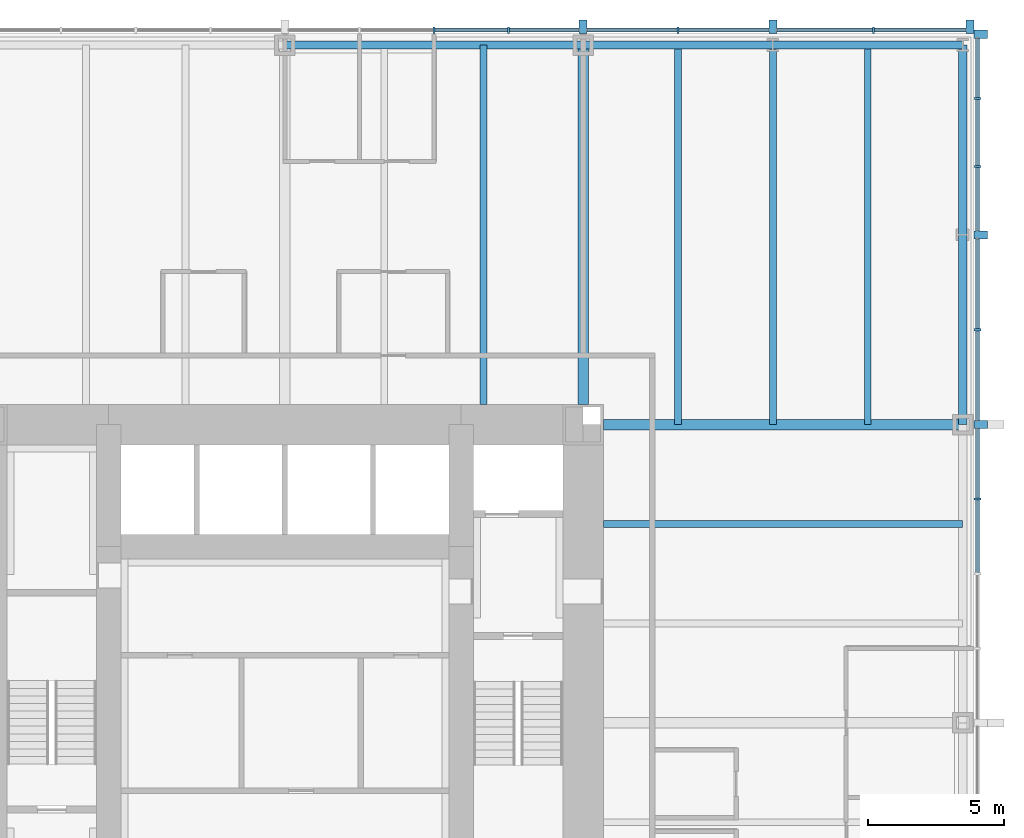
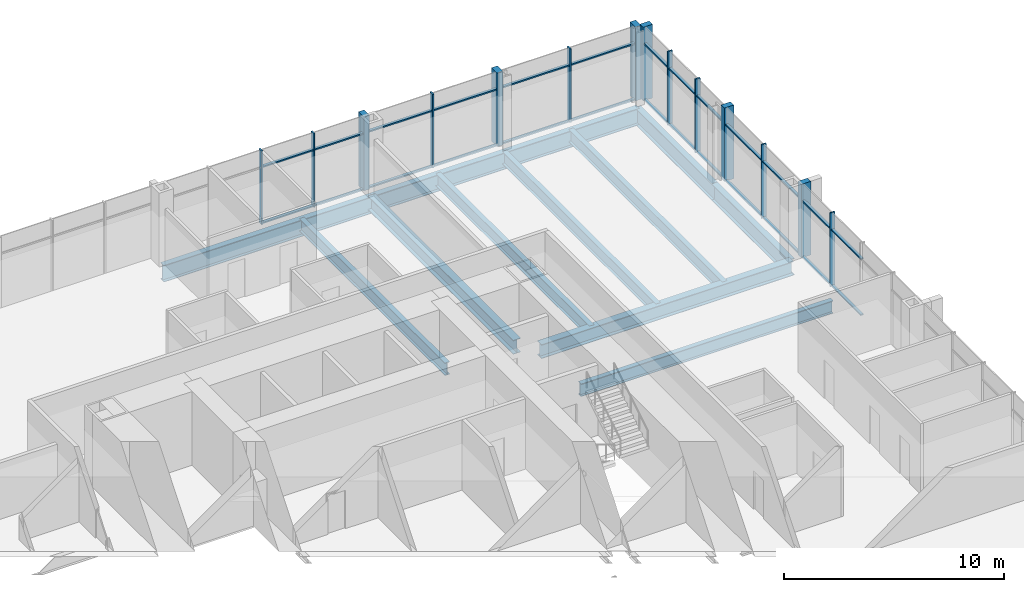
# One storey, part 6 of 12: 40 members, 12 beams, 2 elements without a shape of their own.
"""IFC4 building model written with IfcOpenShell, lengths in metres."""

from ifc_helpers import new_model, si_unit, direction, frame, origin, origin_2d, place, context, subcontext, project, spatial, rectangle, i_section, extrude, material, material_profile, profile_set, type_object, element, aggregate, save


model = new_model("IFC4")

# Units and contexts
model_context = context("Model", 3, precision=1e-05, world=origin(), true_north=direction((0.0, 1.0)))
body_context = subcontext(model_context, "Body", "Model", "MODEL_VIEW")
ifc_project = project(units=[si_unit("LENGTHUNIT", "METRE"), si_unit("AREAUNIT", "SQUARE_METRE"), si_unit("VOLUMEUNIT", "CUBIC_METRE"), si_unit("PLANEANGLEUNIT", "RADIAN"), si_unit("MASSUNIT", "GRAM", prefix="KILO")], contexts=[model_context])

# Site, building, storey
site_placement = place(None, origin())
site = spatial("IfcSite", under=ifc_project, at=site_placement, CompositionType="ELEMENT")
building_placement = place(site_placement, origin())
building = spatial("IfcBuilding", under=site, at=building_placement, Name="Trevanion Tower", CompositionType="ELEMENT")
storey_placement = place(building_placement, frame((0.0, 0.0, 20.10009765625)))
storey = spatial("IfcBuildingStorey", under=building, at=storey_placement, Name="L04", CompositionType="ELEMENT", Elevation=20.10009765625)

# Beams
ifc_material_1 = material(Name="Steel ASTM A992 Grade 50", Category="steel")
ifc_material_profile_1 = material_profile(ifc_material_1, i_section(OverallWidth=0.25390625, OverallDepth=0.700927734375, WebThickness=0.015380859375, FlangeThickness=0.02783203125, at=origin_2d()), Name="W27X129")
ifc_profile_set_1 = profile_set([ifc_material_profile_1], Name="Steel ASTM A992 Grade 50")
beam_type_1 = type_object("IfcBeamType", Name="B3 W27X129", PredefinedType="BEAM", material=ifc_profile_set_1)
for number, where, z_axis, x_axis, name in (
    (1, (11.75, 7.333251953125, -0.54052734375), (1.0, 0.0, 0.0), (0.0, 1.0, 0.0), "B3 L04"),
    (2, (7.333251953125, 11.75, -0.54052734375), (0.0, 1.0, 0.0), (-1.0, 0.0, 0.0), "B3 L04"),
):
    element("IfcBeam", number, at=place(storey_placement, frame(where, z_axis=z_axis, x_axis=x_axis)), inside=storey, type_object=beam_type_1, Name=name, PredefinedType="BEAM", context=body_context, shape_type="SweptSolid", body=[
        extrude(i_section(OverallWidth=0.25390625, OverallDepth=0.700927734375, WebThickness=0.015380859375, FlangeThickness=0.02783203125, at=origin_2d()), origin(), (0.0, 0.0, 1.0), 13.25),
    ])
ifc_material_2 = material(Name="Steel ASTM A992 Grade 50", Category="steel")
ifc_material_profile_2 = material_profile(ifc_material_2, i_section(OverallWidth=0.256591796875, OverallDepth=0.693359375, WebThickness=0.014404296875, FlangeThickness=0.023681640625, at=origin_2d()), Name="W27X114")
ifc_profile_set_2 = profile_set([ifc_material_profile_2], Name="Steel ASTM A992 Grade 50")
beam_type_2 = type_object("IfcBeamType", Name="B4 W27X114", PredefinedType="BEAM", material=ifc_profile_set_2)
for number, where, z_axis, x_axis, name in (
    (3, (14.5, 11.0, -0.536865234375), (0.0, 1.0, 0.0), (-1.0, 0.0, 0.0), "B4 L04"),
    (4, (18.0, 11.0, -0.536865234375), (0.0, 1.0, 0.0), (-1.0, 0.0, 0.0), "B4 L04"),
    (5, (21.5, 11.0, -0.536865234375), (0.0, 1.0, 0.0), (-1.0, 0.0, 0.0), "B4 L04"),
):
    element("IfcBeam", number, at=place(storey_placement, frame(where, z_axis=z_axis, x_axis=x_axis)), inside=storey, type_object=beam_type_2, Name=name, PredefinedType="BEAM", context=body_context, shape_type="SweptSolid", body=[
        extrude(i_section(OverallWidth=0.256591796875, OverallDepth=0.693359375, WebThickness=0.014404296875, FlangeThickness=0.023681640625, at=origin_2d()), origin(), (0.0, 0.0, 1.0), 14.0),
    ])

# Curtain wall, members
ifc_material_3 = material(Name="Aluminium and glass", Category="aluminium")
curtain_wall_type = type_object("IfcCurtainWallType", Name="CW1 curtain wall", PredefinedType="USERDEFINED", material=ifc_material_3)
curtain_wall_1_placement = place(storey_placement, origin())
curtain_wall_1 = element("IfcCurtainWall", 6, at=curtain_wall_1_placement, inside=storey, type_object=curtain_wall_type, Name="CW1 L04 0", ObjectType="UNITISED CURTAIN WALL", PredefinedType="USERDEFINED")
ifc_material_4 = material(Name="Aluminium extrusion, anodised bronze", Category="aluminium")
ifc_material_profile_3 = material_profile(ifc_material_4, rectangle(XDim=0.074951171875, YDim=0.25, at=origin_2d()), Name="CW1 mullion")
ifc_profile_set_3 = profile_set([ifc_material_profile_3], Name="Aluminium extrusion, anodised bronze")
member_type_1 = type_object("IfcMemberType", Name="CW1 mullion", PredefinedType="MULLION", material=ifc_profile_set_3)
member_1_placement = place(storey_placement, frame((25.550048828125, 8.25, -0.190185546875), z_axis=(0.0, 0.0, 1.0), x_axis=(0.0, 1.0, 0.0)))
member_1 = element("IfcMember", 7, at=member_1_placement, type_object=member_type_1, Name="CW1 mullion 12", PredefinedType="MULLION", context=body_context, shape_type="SweptSolid", body=[
    extrude(rectangle(XDim=0.074951171875, YDim=0.25, at=origin_2d()), origin(), (0.0, 0.0, 1.0), 4.10009765625),
])
member_2_placement = place(storey_placement, frame((25.550048828125, 14.5, -0.190185546875), z_axis=(0.0, 0.0, 1.0), x_axis=(0.0, 1.0, 0.0)))
member_2 = element("IfcMember", 8, at=member_2_placement, type_object=member_type_1, Name="CW1 mullion 14", PredefinedType="MULLION", context=body_context, shape_type="SweptSolid", body=[
    extrude(rectangle(XDim=0.074951171875, YDim=0.25, at=origin_2d()), origin(), (0.0, 0.0, 1.0), 4.10009765625),
])
member_3_placement = place(storey_placement, frame((25.550048828125, 20.5166015625, -0.190185546875), z_axis=(0.0, 0.0, 1.0), x_axis=(0.0, 1.0, 0.0)))
member_3 = element("IfcMember", 9, at=member_3_placement, type_object=member_type_1, Name="CW1 mullion 16", PredefinedType="MULLION", context=body_context, shape_type="SweptSolid", body=[
    extrude(rectangle(XDim=0.074951171875, YDim=0.25, at=origin_2d()), origin(), (0.0, 0.0, 1.0), 4.10009765625),
])
member_4_placement = place(storey_placement, frame((25.550048828125, 23.033203125, -0.190185546875), z_axis=(0.0, 0.0, 1.0), x_axis=(0.0, 1.0, 0.0)))
member_4 = element("IfcMember", 10, at=member_4_placement, type_object=member_type_1, Name="CW1 mullion 17", PredefinedType="MULLION", context=body_context, shape_type="SweptSolid", body=[
    extrude(rectangle(XDim=0.074951171875, YDim=0.25, at=origin_2d()), origin(), (0.0, 0.0, 1.0), 4.10009765625),
])

curtain_wall_2_placement = place(storey_placement, origin())
curtain_wall_2 = element("IfcCurtainWall", 11, at=curtain_wall_2_placement, inside=storey, type_object=curtain_wall_type, Name="CW1 L04 1", ObjectType="UNITISED CURTAIN WALL", PredefinedType="USERDEFINED")
member_5_placement = place(storey_placement, frame((21.7099609375, 25.550048828125, -0.190185546875), z_axis=(0.0, 0.0, 1.0), x_axis=(-1.0, 0.0, 0.0)))
member_5 = element("IfcMember", 12, at=member_5_placement, type_object=member_type_1, Name="CW1 mullion 2", PredefinedType="MULLION", context=body_context, shape_type="SweptSolid", body=[
    extrude(rectangle(XDim=0.074951171875, YDim=0.25, at=origin_2d()), origin(), (0.0, 0.0, 1.0), 4.10009765625),
])
member_6_placement = place(storey_placement, frame((14.5, 25.550048828125, -0.190185546875), z_axis=(0.0, 0.0, 1.0), x_axis=(-1.0, 0.0, 0.0)))
member_6 = element("IfcMember", 13, at=member_6_placement, type_object=member_type_1, Name="CW1 mullion 4", PredefinedType="MULLION", context=body_context, shape_type="SweptSolid", body=[
    extrude(rectangle(XDim=0.074951171875, YDim=0.25, at=origin_2d()), origin(), (0.0, 0.0, 1.0), 4.10009765625),
])
member_7_placement = place(storey_placement, frame((8.25, 25.550048828125, -0.190185546875), z_axis=(0.0, 0.0, 1.0), x_axis=(-1.0, 0.0, 0.0)))
member_7 = element("IfcMember", 14, at=member_7_placement, type_object=member_type_1, Name="CW1 mullion 6", PredefinedType="MULLION", context=body_context, shape_type="SweptSolid", body=[
    extrude(rectangle(XDim=0.074951171875, YDim=0.25, at=origin_2d()), origin(), (0.0, 0.0, 1.0), 4.10009765625),
])
member_8_placement = place(storey_placement, frame((5.5, 25.550048828125, -0.190185546875), z_axis=(0.0, 0.0, 1.0), x_axis=(-1.0, 0.0, 0.0)))
member_8 = element("IfcMember", 15, at=member_8_placement, type_object=member_type_1, Name="CW1 mullion 7", PredefinedType="MULLION", context=body_context, shape_type="SweptSolid", body=[
    extrude(rectangle(XDim=0.074951171875, YDim=0.25, at=origin_2d()), origin(), (0.0, 0.0, 1.0), 4.10009765625),
])

# Member
ifc_material_5 = material(Name="Aluminium extrusion, anodised bronze", Category="aluminium")
ifc_material_profile_4 = material_profile(ifc_material_5, rectangle(XDim=0.300048828125, YDim=0.5, at=origin_2d()), Name="CW1 pier mullion")
ifc_profile_set_4 = profile_set([ifc_material_profile_4], Name="Aluminium extrusion, anodised bronze")
member_type_2 = type_object("IfcMemberType", Name="CW1 pier mullion", PredefinedType="MULLION", material=ifc_profile_set_4)
member_9_placement = place(storey_placement, frame((25.675048828125, 11.0, -0.190185546875), z_axis=(0.0, 0.0, 1.0), x_axis=(0.0, 1.0, 0.0)))
member_9 = element("IfcMember", 16, at=member_9_placement, type_object=member_type_2, Name="CW1 pier mullion 13", PredefinedType="MULLION", context=body_context, shape_type="SweptSolid", body=[
    extrude(rectangle(XDim=0.300048828125, YDim=0.5, at=origin_2d()), origin(), (0.0, 0.0, 1.0), 4.10009765625),
])

member_10_placement = place(storey_placement, frame((25.675048828125, 18.0, -0.190185546875), z_axis=(0.0, 0.0, 1.0), x_axis=(0.0, 1.0, 0.0)))
member_10 = element("IfcMember", 17, at=member_10_placement, type_object=member_type_2, Name="CW1 pier mullion 15", PredefinedType="MULLION", context=body_context, shape_type="SweptSolid", body=[
    extrude(rectangle(XDim=0.300048828125, YDim=0.5, at=origin_2d()), origin(), (0.0, 0.0, 1.0), 4.10009765625),
])

member_11_placement = place(storey_placement, frame((25.675048828125, 25.39990234375, -0.190185546875), z_axis=(0.0, 0.0, 1.0), x_axis=(0.0, 1.0, 0.0)))
member_11 = element("IfcMember", 18, at=member_11_placement, type_object=member_type_2, Name="CW1 pier mullion 18", PredefinedType="MULLION", context=body_context, shape_type="SweptSolid", body=[
    extrude(rectangle(XDim=0.300048828125, YDim=0.5, at=origin_2d()), origin(), (0.0, 0.0, 1.0), 4.10009765625),
])

member_12_placement = place(storey_placement, frame((25.27001953125, 25.675048828125, -0.190185546875), z_axis=(0.0, 0.0, 1.0), x_axis=(-1.0, 0.0, 0.0)))
member_12 = element("IfcMember", 19, at=member_12_placement, type_object=member_type_2, Name="CW1 pier mullion 1", PredefinedType="MULLION", context=body_context, shape_type="SweptSolid", body=[
    extrude(rectangle(XDim=0.300048828125, YDim=0.5, at=origin_2d()), origin(), (0.0, 0.0, 1.0), 4.10009765625),
])

member_13_placement = place(storey_placement, frame((18.0, 25.675048828125, -0.190185546875), z_axis=(0.0, 0.0, 1.0), x_axis=(-1.0, 0.0, 0.0)))
member_13 = element("IfcMember", 20, at=member_13_placement, type_object=member_type_2, Name="CW1 pier mullion 3", PredefinedType="MULLION", context=body_context, shape_type="SweptSolid", body=[
    extrude(rectangle(XDim=0.300048828125, YDim=0.5, at=origin_2d()), origin(), (0.0, 0.0, 1.0), 4.10009765625),
])

member_14_placement = place(storey_placement, frame((11.0, 25.675048828125, -0.190185546875), z_axis=(0.0, 0.0, 1.0), x_axis=(-1.0, 0.0, 0.0)))
member_14 = element("IfcMember", 21, at=member_14_placement, type_object=member_type_2, Name="CW1 pier mullion 5", PredefinedType="MULLION", context=body_context, shape_type="SweptSolid", body=[
    extrude(rectangle(XDim=0.300048828125, YDim=0.5, at=origin_2d()), origin(), (0.0, 0.0, 1.0), 4.10009765625),
])

ifc_material_6 = material(Name="Aluminium extrusion, anodised bronze", Category="aluminium")
ifc_material_profile_5 = material_profile(ifc_material_6, rectangle(XDim=0.14990234375, YDim=0.074951171875, at=origin_2d()), Name="CW1 transom")
ifc_profile_set_5 = profile_set([ifc_material_profile_5], Name="Aluminium extrusion, anodised bronze")
member_type_3 = type_object("IfcMemberType", Name="CW1 transom", PredefinedType="USERDEFINED", material=ifc_profile_set_5)
member_15_placement = place(storey_placement, frame((25.550048828125, 5.53759765625, -0.152587890625), z_axis=(0.0, 1.0, 0.0), x_axis=(-1.0, 0.0, 0.0)))
member_15 = element("IfcMember", 22, at=member_15_placement, type_object=member_type_3, Name="CW1 transom 11.1", ObjectType="TRANSOM", PredefinedType="USERDEFINED", context=body_context, shape_type="SweptSolid", body=[
    extrude(rectangle(XDim=0.14990234375, YDim=0.074951171875, at=origin_2d()), origin(), (0.0, 0.0, 1.0), 2.6748046875),
])

member_16_placement = place(storey_placement, frame((25.550048828125, 5.53759765625, 2.9599609375), z_axis=(0.0, 1.0, 0.0), x_axis=(-1.0, 0.0, 0.0)))
member_16 = element("IfcMember", 23, at=member_16_placement, type_object=member_type_3, Name="CW1 transom 11.2", ObjectType="TRANSOM", PredefinedType="USERDEFINED", context=body_context, shape_type="SweptSolid", body=[
    extrude(rectangle(XDim=0.14990234375, YDim=0.074951171875, at=origin_2d()), origin(), (0.0, 0.0, 1.0), 2.6748046875),
])

member_17_placement = place(storey_placement, frame((25.550048828125, 8.28759765625, -0.152587890625), z_axis=(0.0, 1.0, 0.0), x_axis=(-1.0, 0.0, 0.0)))
member_17 = element("IfcMember", 24, at=member_17_placement, type_object=member_type_3, Name="CW1 transom 12.1", ObjectType="TRANSOM", PredefinedType="USERDEFINED", context=body_context, shape_type="SweptSolid", body=[
    extrude(rectangle(XDim=0.14990234375, YDim=0.074951171875, at=origin_2d()), origin(), (0.0, 0.0, 1.0), 2.5625),
])

member_18_placement = place(storey_placement, frame((25.550048828125, 8.28759765625, 2.9599609375), z_axis=(0.0, 1.0, 0.0), x_axis=(-1.0, 0.0, 0.0)))
member_18 = element("IfcMember", 25, at=member_18_placement, type_object=member_type_3, Name="CW1 transom 12.2", ObjectType="TRANSOM", PredefinedType="USERDEFINED", context=body_context, shape_type="SweptSolid", body=[
    extrude(rectangle(XDim=0.14990234375, YDim=0.074951171875, at=origin_2d()), origin(), (0.0, 0.0, 1.0), 2.5625),
])

member_19_placement = place(storey_placement, frame((25.550048828125, 11.14990234375, -0.152587890625), z_axis=(0.0, 1.0, 0.0), x_axis=(-1.0, 0.0, 0.0)))
member_19 = element("IfcMember", 26, at=member_19_placement, type_object=member_type_3, Name="CW1 transom 13.1", ObjectType="TRANSOM", PredefinedType="USERDEFINED", context=body_context, shape_type="SweptSolid", body=[
    extrude(rectangle(XDim=0.14990234375, YDim=0.074951171875, at=origin_2d()), origin(), (0.0, 0.0, 1.0), 3.3125),
])

member_20_placement = place(storey_placement, frame((25.550048828125, 11.14990234375, 2.9599609375), z_axis=(0.0, 1.0, 0.0), x_axis=(-1.0, 0.0, 0.0)))
member_20 = element("IfcMember", 27, at=member_20_placement, type_object=member_type_3, Name="CW1 transom 13.2", ObjectType="TRANSOM", PredefinedType="USERDEFINED", context=body_context, shape_type="SweptSolid", body=[
    extrude(rectangle(XDim=0.14990234375, YDim=0.074951171875, at=origin_2d()), origin(), (0.0, 0.0, 1.0), 3.3125),
])

member_21_placement = place(storey_placement, frame((25.550048828125, 14.53759765625, -0.152587890625), z_axis=(0.0, 1.0, 0.0), x_axis=(-1.0, 0.0, 0.0)))
member_21 = element("IfcMember", 28, at=member_21_placement, type_object=member_type_3, Name="CW1 transom 14.1", ObjectType="TRANSOM", PredefinedType="USERDEFINED", context=body_context, shape_type="SweptSolid", body=[
    extrude(rectangle(XDim=0.14990234375, YDim=0.074951171875, at=origin_2d()), origin(), (0.0, 0.0, 1.0), 3.3125),
])

member_22_placement = place(storey_placement, frame((25.550048828125, 14.53759765625, 2.9599609375), z_axis=(0.0, 1.0, 0.0), x_axis=(-1.0, 0.0, 0.0)))
member_22 = element("IfcMember", 29, at=member_22_placement, type_object=member_type_3, Name="CW1 transom 14.2", ObjectType="TRANSOM", PredefinedType="USERDEFINED", context=body_context, shape_type="SweptSolid", body=[
    extrude(rectangle(XDim=0.14990234375, YDim=0.074951171875, at=origin_2d()), origin(), (0.0, 0.0, 1.0), 3.3125),
])

member_23_placement = place(storey_placement, frame((25.550048828125, 18.14990234375, -0.152587890625), z_axis=(0.0, 1.0, 0.0), x_axis=(-1.0, 0.0, 0.0)))
member_23 = element("IfcMember", 30, at=member_23_placement, type_object=member_type_3, Name="CW1 transom 15.1", ObjectType="TRANSOM", PredefinedType="USERDEFINED", context=body_context, shape_type="SweptSolid", body=[
    extrude(rectangle(XDim=0.14990234375, YDim=0.074951171875, at=origin_2d()), origin(), (0.0, 0.0, 1.0), 2.329345703125),
])

member_24_placement = place(storey_placement, frame((25.550048828125, 18.14990234375, 2.9599609375), z_axis=(0.0, 1.0, 0.0), x_axis=(-1.0, 0.0, 0.0)))
member_24 = element("IfcMember", 31, at=member_24_placement, type_object=member_type_3, Name="CW1 transom 15.2", ObjectType="TRANSOM", PredefinedType="USERDEFINED", context=body_context, shape_type="SweptSolid", body=[
    extrude(rectangle(XDim=0.14990234375, YDim=0.074951171875, at=origin_2d()), origin(), (0.0, 0.0, 1.0), 2.329345703125),
])

member_25_placement = place(storey_placement, frame((25.550048828125, 20.55419921875, -0.152587890625), z_axis=(0.0, 1.0, 0.0), x_axis=(-1.0, 0.0, 0.0)))
member_25 = element("IfcMember", 32, at=member_25_placement, type_object=member_type_3, Name="CW1 transom 16.1", ObjectType="TRANSOM", PredefinedType="USERDEFINED", context=body_context, shape_type="SweptSolid", body=[
    extrude(rectangle(XDim=0.14990234375, YDim=0.074951171875, at=origin_2d()), origin(), (0.0, 0.0, 1.0), 2.441650390625),
])

member_26_placement = place(storey_placement, frame((25.550048828125, 20.55419921875, 2.9599609375), z_axis=(0.0, 1.0, 0.0), x_axis=(-1.0, 0.0, 0.0)))
member_26 = element("IfcMember", 33, at=member_26_placement, type_object=member_type_3, Name="CW1 transom 16.2", ObjectType="TRANSOM", PredefinedType="USERDEFINED", context=body_context, shape_type="SweptSolid", body=[
    extrude(rectangle(XDim=0.14990234375, YDim=0.074951171875, at=origin_2d()), origin(), (0.0, 0.0, 1.0), 2.441650390625),
])

member_27_placement = place(storey_placement, frame((25.550048828125, 23.07080078125, -0.152587890625), z_axis=(0.0, 1.0, 0.0), x_axis=(-1.0, 0.0, 0.0)))
member_27 = element("IfcMember", 34, at=member_27_placement, type_object=member_type_3, Name="CW1 transom 17.1", ObjectType="TRANSOM", PredefinedType="USERDEFINED", context=body_context, shape_type="SweptSolid", body=[
    extrude(rectangle(XDim=0.14990234375, YDim=0.074951171875, at=origin_2d()), origin(), (0.0, 0.0, 1.0), 2.17919921875),
])

member_28_placement = place(storey_placement, frame((25.550048828125, 23.07080078125, 2.9599609375), z_axis=(0.0, 1.0, 0.0), x_axis=(-1.0, 0.0, 0.0)))
member_28 = element("IfcMember", 35, at=member_28_placement, type_object=member_type_3, Name="CW1 transom 17.2", ObjectType="TRANSOM", PredefinedType="USERDEFINED", context=body_context, shape_type="SweptSolid", body=[
    extrude(rectangle(XDim=0.14990234375, YDim=0.074951171875, at=origin_2d()), origin(), (0.0, 0.0, 1.0), 2.17919921875),
])

aggregate(curtain_wall_1, [member_1, member_9, member_2, member_10, member_3, member_4, member_11, member_15, member_16, member_17, member_18, member_19, member_20, member_21, member_22, member_23, member_24, member_25, member_26, member_27, member_28])

member_29_placement = place(storey_placement, frame((25.1201171875, 25.550048828125, -0.152587890625), z_axis=(-1.0, 0.0, 0.0), x_axis=(0.0, -1.0, 0.0)))
member_29 = element("IfcMember", 36, at=member_29_placement, type_object=member_type_3, Name="CW1 transom 1.1", ObjectType="TRANSOM", PredefinedType="USERDEFINED", context=body_context, shape_type="SweptSolid", body=[
    extrude(rectangle(XDim=0.14990234375, YDim=0.074951171875, at=origin_2d()), origin(), (0.0, 0.0, 1.0), 3.37255859375),
])

member_30_placement = place(storey_placement, frame((25.1201171875, 25.550048828125, 2.9599609375), z_axis=(-1.0, 0.0, 0.0), x_axis=(0.0, -1.0, 0.0)))
member_30 = element("IfcMember", 37, at=member_30_placement, type_object=member_type_3, Name="CW1 transom 1.2", ObjectType="TRANSOM", PredefinedType="USERDEFINED", context=body_context, shape_type="SweptSolid", body=[
    extrude(rectangle(XDim=0.14990234375, YDim=0.074951171875, at=origin_2d()), origin(), (0.0, 0.0, 1.0), 3.37255859375),
])

member_31_placement = place(storey_placement, frame((21.672607421875, 25.550048828125, -0.152587890625), z_axis=(-1.0, 0.0, 0.0), x_axis=(0.0, -1.0, 0.0)))
member_31 = element("IfcMember", 38, at=member_31_placement, type_object=member_type_3, Name="CW1 transom 2.1", ObjectType="TRANSOM", PredefinedType="USERDEFINED", context=body_context, shape_type="SweptSolid", body=[
    extrude(rectangle(XDim=0.14990234375, YDim=0.074951171875, at=origin_2d()), origin(), (0.0, 0.0, 1.0), 3.522705078125),
])

member_32_placement = place(storey_placement, frame((21.672607421875, 25.550048828125, 2.9599609375), z_axis=(-1.0, 0.0, 0.0), x_axis=(0.0, -1.0, 0.0)))
member_32 = element("IfcMember", 39, at=member_32_placement, type_object=member_type_3, Name="CW1 transom 2.2", ObjectType="TRANSOM", PredefinedType="USERDEFINED", context=body_context, shape_type="SweptSolid", body=[
    extrude(rectangle(XDim=0.14990234375, YDim=0.074951171875, at=origin_2d()), origin(), (0.0, 0.0, 1.0), 3.522705078125),
])

member_33_placement = place(storey_placement, frame((17.85009765625, 25.550048828125, -0.152587890625), z_axis=(-1.0, 0.0, 0.0), x_axis=(0.0, -1.0, 0.0)))
member_33 = element("IfcMember", 40, at=member_33_placement, type_object=member_type_3, Name="CW1 transom 3.1", ObjectType="TRANSOM", PredefinedType="USERDEFINED", context=body_context, shape_type="SweptSolid", body=[
    extrude(rectangle(XDim=0.14990234375, YDim=0.074951171875, at=origin_2d()), origin(), (0.0, 0.0, 1.0), 3.3125),
])

member_34_placement = place(storey_placement, frame((17.85009765625, 25.550048828125, 2.9599609375), z_axis=(-1.0, 0.0, 0.0), x_axis=(0.0, -1.0, 0.0)))
member_34 = element("IfcMember", 41, at=member_34_placement, type_object=member_type_3, Name="CW1 transom 3.2", ObjectType="TRANSOM", PredefinedType="USERDEFINED", context=body_context, shape_type="SweptSolid", body=[
    extrude(rectangle(XDim=0.14990234375, YDim=0.074951171875, at=origin_2d()), origin(), (0.0, 0.0, 1.0), 3.3125),
])

member_35_placement = place(storey_placement, frame((14.46240234375, 25.550048828125, -0.152587890625), z_axis=(-1.0, 0.0, 0.0), x_axis=(0.0, -1.0, 0.0)))
member_35 = element("IfcMember", 42, at=member_35_placement, type_object=member_type_3, Name="CW1 transom 4.1", ObjectType="TRANSOM", PredefinedType="USERDEFINED", context=body_context, shape_type="SweptSolid", body=[
    extrude(rectangle(XDim=0.14990234375, YDim=0.074951171875, at=origin_2d()), origin(), (0.0, 0.0, 1.0), 3.3125),
])

member_36_placement = place(storey_placement, frame((14.46240234375, 25.550048828125, 2.9599609375), z_axis=(-1.0, 0.0, 0.0), x_axis=(0.0, -1.0, 0.0)))
member_36 = element("IfcMember", 43, at=member_36_placement, type_object=member_type_3, Name="CW1 transom 4.2", ObjectType="TRANSOM", PredefinedType="USERDEFINED", context=body_context, shape_type="SweptSolid", body=[
    extrude(rectangle(XDim=0.14990234375, YDim=0.074951171875, at=origin_2d()), origin(), (0.0, 0.0, 1.0), 3.3125),
])

member_37_placement = place(storey_placement, frame((10.85009765625, 25.550048828125, -0.152587890625), z_axis=(-1.0, 0.0, 0.0), x_axis=(0.0, -1.0, 0.0)))
member_37 = element("IfcMember", 44, at=member_37_placement, type_object=member_type_3, Name="CW1 transom 5.1", ObjectType="TRANSOM", PredefinedType="USERDEFINED", context=body_context, shape_type="SweptSolid", body=[
    extrude(rectangle(XDim=0.14990234375, YDim=0.074951171875, at=origin_2d()), origin(), (0.0, 0.0, 1.0), 2.5625),
])

member_38_placement = place(storey_placement, frame((10.85009765625, 25.550048828125, 2.9599609375), z_axis=(-1.0, 0.0, 0.0), x_axis=(0.0, -1.0, 0.0)))
member_38 = element("IfcMember", 45, at=member_38_placement, type_object=member_type_3, Name="CW1 transom 5.2", ObjectType="TRANSOM", PredefinedType="USERDEFINED", context=body_context, shape_type="SweptSolid", body=[
    extrude(rectangle(XDim=0.14990234375, YDim=0.074951171875, at=origin_2d()), origin(), (0.0, 0.0, 1.0), 2.5625),
])

member_39_placement = place(storey_placement, frame((8.21240234375, 25.550048828125, -0.152587890625), z_axis=(-1.0, 0.0, 0.0), x_axis=(0.0, -1.0, 0.0)))
member_39 = element("IfcMember", 46, at=member_39_placement, type_object=member_type_3, Name="CW1 transom 6.1", ObjectType="TRANSOM", PredefinedType="USERDEFINED", context=body_context, shape_type="SweptSolid", body=[
    extrude(rectangle(XDim=0.14990234375, YDim=0.074951171875, at=origin_2d()), origin(), (0.0, 0.0, 1.0), 2.6748046875),
])

member_40_placement = place(storey_placement, frame((8.21240234375, 25.550048828125, 2.9599609375), z_axis=(-1.0, 0.0, 0.0), x_axis=(0.0, -1.0, 0.0)))
member_40 = element("IfcMember", 47, at=member_40_placement, type_object=member_type_3, Name="CW1 transom 6.2", ObjectType="TRANSOM", PredefinedType="USERDEFINED", context=body_context, shape_type="SweptSolid", body=[
    extrude(rectangle(XDim=0.14990234375, YDim=0.074951171875, at=origin_2d()), origin(), (0.0, 0.0, 1.0), 2.6748046875),
])

aggregate(curtain_wall_2, [member_12, member_5, member_13, member_6, member_14, member_7, member_8, member_29, member_30, member_31, member_32, member_33, member_34, member_35, member_36, member_37, member_38, member_39, member_40])

# Beams
ifc_material_7 = material(Name="Steel ASTM A992 Grade 50", Category="steel")
ifc_material_profile_6 = material_profile(ifc_material_7, i_section(OverallWidth=0.381103515625, OverallDepth=0.77978515625, WebThickness=0.01806640625, FlangeThickness=0.0302734375, at=origin_2d()), Name="W30X191")
ifc_profile_set_6 = profile_set([ifc_material_profile_6], Name="Steel ASTM A992 Grade 50")
beam_type_3 = type_object("IfcBeamType", Name="G2 W30X191", PredefinedType="BEAM", material=ifc_profile_set_6)
for number, where, z_axis, x_axis, name in (
    (48, (11.75, 11.0, -0.580078125), (1.0, 0.0, 0.0), (0.0, 1.0, 0.0), "G2 L04"),
    (49, (11.0, 11.75, -0.580078125), (0.0, 1.0, 0.0), (-1.0, 0.0, 0.0), "G2 L04"),
):
    element("IfcBeam", number, at=place(storey_placement, frame(where, z_axis=z_axis, x_axis=x_axis)), inside=storey, type_object=beam_type_3, Name=name, PredefinedType="BEAM", context=body_context, shape_type="SweptSolid", body=[
        extrude(i_section(OverallWidth=0.381103515625, OverallDepth=0.77978515625, WebThickness=0.01806640625, FlangeThickness=0.0302734375, at=origin_2d()), origin(), (0.0, 0.0, 1.0), 13.25),
    ])
ifc_material_8 = material(Name="Steel ASTM A992 Grade 50", Category="steel")
ifc_material_profile_7 = material_profile(ifc_material_8, i_section(OverallWidth=0.307373046875, OverallDepth=0.927001953125, WebThickness=0.01953125, FlangeThickness=0.031982421875, at=origin_2d()), Name="W36X194")
ifc_profile_set_7 = profile_set([ifc_material_profile_7], Name="Steel ASTM A992 Grade 50")
beam_type_4 = type_object("IfcBeamType", Name="SB2 W36X194", PredefinedType="SPANDREL", material=ifc_profile_set_7)
for number, where, z_axis, x_axis, name in (
    (50, (25.0, 11.0, -0.65380859375), (0.0, 1.0, 0.0), (-1.0, 0.0, 0.0), "SB2 L04"),
    (51, (25.0, 18.0, -0.65380859375), (0.0, 1.0, 0.0), (-1.0, 0.0, 0.0), "SB2 L04"),
    (52, (25.0, 25.0, -0.65380859375), (-1.0, 0.0, 0.0), (0.0, -1.0, 0.0), "SB2 L04"),
    (53, (18.0, 25.0, -0.65380859375), (-1.0, 0.0, 0.0), (0.0, -1.0, 0.0), "SB2 L04"),
):
    element("IfcBeam", number, at=place(storey_placement, frame(where, z_axis=z_axis, x_axis=x_axis)), inside=storey, type_object=beam_type_4, Name=name, PredefinedType="SPANDREL", context=body_context, shape_type="SweptSolid", body=[
        extrude(i_section(OverallWidth=0.307373046875, OverallDepth=0.927001953125, WebThickness=0.01953125, FlangeThickness=0.031982421875, at=origin_2d()), origin(), (0.0, 0.0, 1.0), 7.0),
    ])
beam_placement = place(storey_placement, frame((11.0, 25.0, -0.65380859375), z_axis=(-1.0, 0.0, 0.0), x_axis=(0.0, -1.0, 0.0)))
element("IfcBeam", 54, at=beam_placement, inside=storey, type_object=beam_type_4, Name="SB2 L04", PredefinedType="SPANDREL", context=body_context, shape_type="SweptSolid", body=[
    extrude(i_section(OverallWidth=0.307373046875, OverallDepth=0.927001953125, WebThickness=0.01953125, FlangeThickness=0.031982421875, at=origin_2d()), origin(), (0.0, 0.0, 1.0), 11.0),
])

save(model, "model.ifc")
